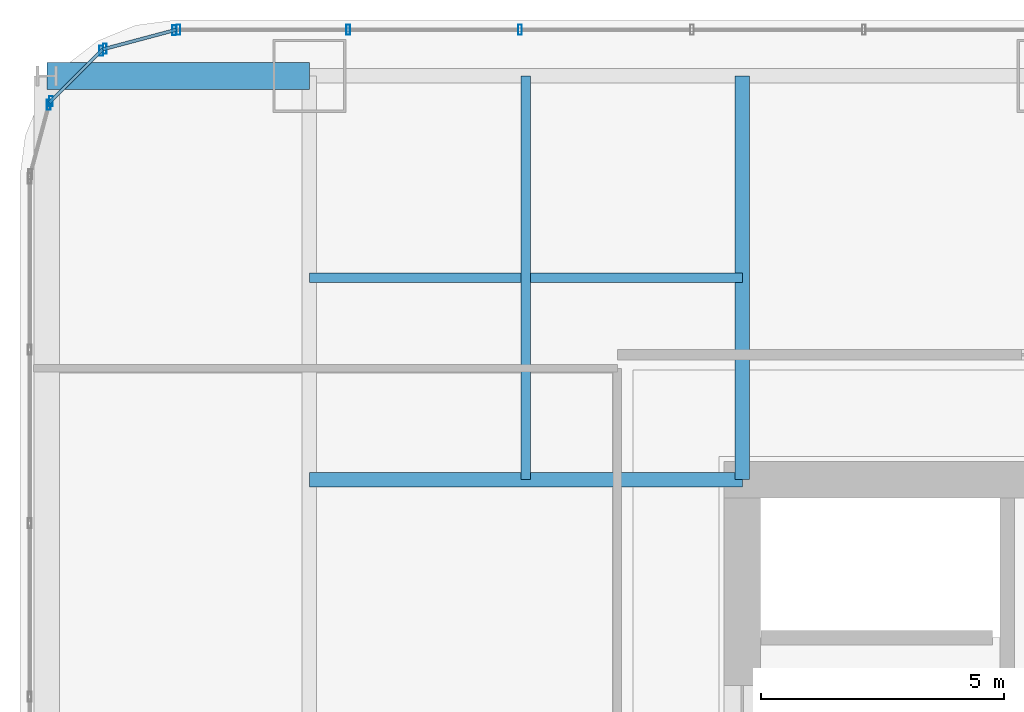
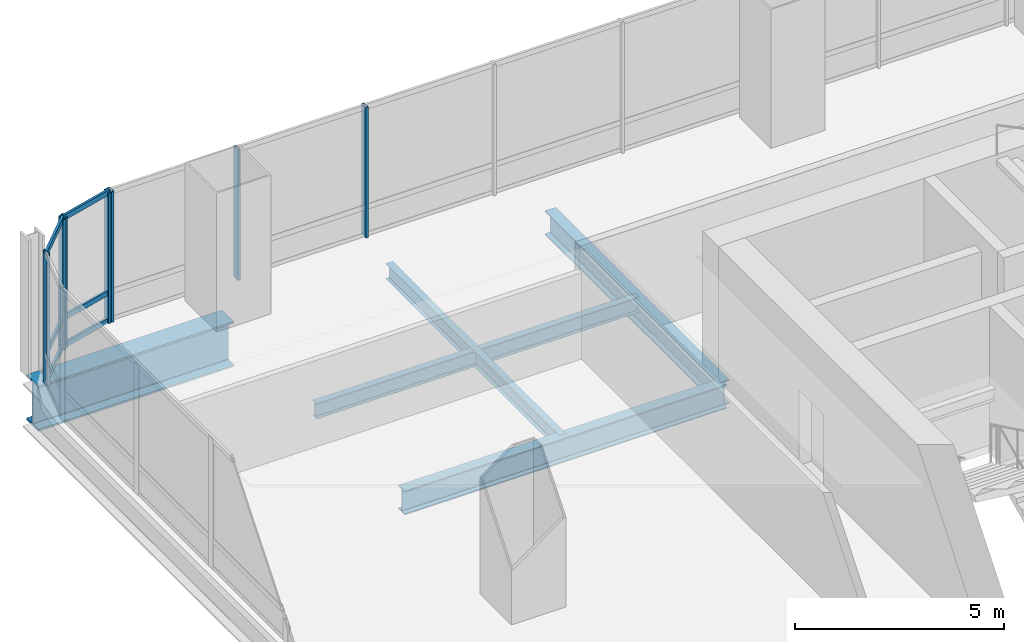
# One storey, part 19 of 35: 14 members, 5 beams, 4 elements without a shape of their own.
"""IFC4 building model written with IfcOpenShell, lengths in metres."""

from ifc_helpers import new_model, si_unit, direction, frame, origin, origin_2d, place, context, subcontext, project, spatial, hollow_rectangle, i_section, extrude, material, material_profile, profile_set, type_object, element, aggregate, save


model = new_model("IFC4")

# Units and contexts
model_context = context("Model", 3, precision=1e-05, world=origin(), true_north=direction((0.0, 1.0)))
body_context = subcontext(model_context, "Body", "Model", "MODEL_VIEW")
ifc_project = project(units=[si_unit("LENGTHUNIT", "METRE"), si_unit("AREAUNIT", "SQUARE_METRE"), si_unit("VOLUMEUNIT", "CUBIC_METRE"), si_unit("PLANEANGLEUNIT", "RADIAN"), si_unit("MASSUNIT", "GRAM", prefix="KILO")], contexts=[model_context])

# Site, building, storey
site_placement = place(None, origin())
site = spatial("IfcSite", under=ifc_project, at=site_placement, CompositionType="ELEMENT")
building_placement = place(site_placement, origin())
building = spatial("IfcBuilding", under=site, at=building_placement, Name="Punatoya Terracotta Tower", CompositionType="ELEMENT")
storey_placement = place(building_placement, frame((0.0, 0.0, 52.5)))
storey = spatial("IfcBuildingStorey", under=building, at=storey_placement, Name="L11", CompositionType="ELEMENT", Elevation=52.5)

# Beams
ifc_material_1 = material(Name="Steel S355", Category="steel")
ifc_material_profile_1 = material_profile(ifc_material_1, i_section(OverallWidth=0.300048828125, OverallDepth=0.699951171875, WebThickness=0.01708984375, FlangeThickness=0.031982421875, FilletRadius=0.01806640625, at=origin_2d()))
ifc_profile_set_1 = profile_set([ifc_material_profile_1], Name="Steel S355")
beam_type_1 = type_object("IfcBeamType", Name="BM-PRI-700", PredefinedType="BEAM", material=ifc_profile_set_1)
beam_1_placement = place(storey_placement, frame((-19.10009765625, 9.199951171875, -0.590087890625), z_axis=(1.0, 0.0, 0.0), x_axis=(0.0, 1.0, 0.0)))
element("IfcBeam", 1, at=beam_1_placement, inside=storey, type_object=beam_type_1, Name="BM-L11-PR-WN", PredefinedType="BEAM", context=body_context, shape_type="SweptSolid", body=[
    extrude(i_section(OverallWidth=0.300048828125, OverallDepth=0.699951171875, WebThickness=0.01708984375, FlangeThickness=0.031982421875, FilletRadius=0.01806640625, at=origin_2d()), origin(), (0.0, 0.0, 1.0), 8.900146484375),
])
beam_2_placement = place(storey_placement, frame((-10.199951171875, 9.199951171875, -0.590087890625), z_axis=(0.0, 1.0, 0.0), x_axis=(-1.0, 0.0, 0.0)))
element("IfcBeam", 2, at=beam_2_placement, inside=storey, type_object=beam_type_1, Name="BM-L11-PR-N1", PredefinedType="BEAM", context=body_context, shape_type="SweptSolid", body=[
    extrude(i_section(OverallWidth=0.300048828125, OverallDepth=0.699951171875, WebThickness=0.01708984375, FlangeThickness=0.031982421875, FilletRadius=0.01806640625, at=origin_2d()), origin(), (0.0, 0.0, 1.0), 8.300048828125),
])
ifc_material_profile_2 = material_profile(ifc_material_1, i_section(OverallWidth=0.18994140625, OverallDepth=0.449951171875, WebThickness=0.009521484375, FlangeThickness=0.0146484375, FilletRadius=0.01806640625, at=origin_2d()))
ifc_profile_set_2 = profile_set([ifc_material_profile_2], Name="Steel S355")
beam_type_2 = type_object("IfcBeamType", Name="BM-SEC-450", PredefinedType="JOIST", material=ifc_profile_set_2)
beam_3_placement = place(storey_placement, frame((-19.10009765625, 13.35009765625, -0.465087890625), z_axis=(1.0, 0.0, 0.0), x_axis=(0.0, 1.0, 0.0)))
element("IfcBeam", 3, at=beam_3_placement, inside=storey, type_object=beam_type_2, Name="BM-L11-SJN-1", PredefinedType="JOIST", context=body_context, shape_type="SweptSolid", body=[
    extrude(i_section(OverallWidth=0.18994140625, OverallDepth=0.449951171875, WebThickness=0.009521484375, FlangeThickness=0.0146484375, FilletRadius=0.01806640625, at=origin_2d()), origin(), (0.0, 0.0, 1.0), 8.900146484375),
])
beam_4_placement = place(storey_placement, frame((-14.64990234375, 9.199951171875, -0.465087890625), z_axis=(0.0, 1.0, 0.0), x_axis=(-1.0, 0.0, 0.0)))
element("IfcBeam", 4, at=beam_4_placement, inside=storey, type_object=beam_type_2, Name="BM-L11-SJW-2", PredefinedType="JOIST", context=body_context, shape_type="SweptSolid", body=[
    extrude(i_section(OverallWidth=0.18994140625, OverallDepth=0.449951171875, WebThickness=0.009521484375, FlangeThickness=0.0146484375, FilletRadius=0.01806640625, at=origin_2d()), origin(), (0.0, 0.0, 1.0), 8.300048828125),
])
ifc_material_2 = material(Name="Steel S460", Category="steel")
ifc_material_profile_3 = material_profile(ifc_material_2, i_section(OverallWidth=0.56005859375, OverallDepth=1.320068359375, WebThickness=0.035888671875, FlangeThickness=0.054931640625, FilletRadius=0.01806640625, at=origin_2d()))
ifc_profile_set_3 = profile_set([ifc_material_profile_3], Name="Steel S460")
beam_type_3 = type_object("IfcBeamType", Name="BM-TG-BLK", PredefinedType="BEAM", material=ifc_profile_set_3)
beam_5_placement = place(storey_placement, frame((-24.5, 17.5, -0.89990234375), z_axis=(1.0, 0.0, 0.0), x_axis=(0.0, 1.0, 0.0)))
element("IfcBeam", 5, at=beam_5_placement, inside=storey, type_object=beam_type_3, Name="BM-L11-CANT-W4", PredefinedType="BEAM", context=body_context, shape_type="SweptSolid", body=[
    extrude(i_section(OverallWidth=0.56005859375, OverallDepth=1.320068359375, WebThickness=0.035888671875, FlangeThickness=0.054931640625, FilletRadius=0.01806640625, at=origin_2d()), origin(), (0.0, 0.0, 1.0), 5.39990234375),
])

# Curtain wall, members
ifc_material_3 = material(Name="Aluminium 6063-T6 + Double Low-E Glass", Category="aluminium")
curtain_wall_type = type_object("IfcCurtainWallType", Name="CW-M1", PredefinedType="NOTDEFINED", material=ifc_material_3)
curtain_wall_1_placement = place(storey_placement, origin())
curtain_wall_1 = element("IfcCurtainWall", 6, at=curtain_wall_1_placement, inside=storey, type_object=curtain_wall_type, Name="L11 Curtain Wall CW-L11-N09-1", PredefinedType="NOTDEFINED")
ifc_material_4 = material(Name="Aluminium 6063-T6", Category="aluminium")
ifc_material_profile_4 = material_profile(ifc_material_4, hollow_rectangle(XDim=0.074951171875, YDim=0.2099609375, WallThickness=0.00439453125, at=origin_2d()))
ifc_profile_set_4 = profile_set([ifc_material_profile_4], Name="Aluminium 6063-T6")
member_type_1 = type_object("IfcMemberType", Name="CW-MUL-M1", PredefinedType="MULLION", material=ifc_profile_set_4)
member_1_placement = place(storey_placement, frame((-14.768798828125, 18.449951171875, 0.0), z_axis=(0.0, 0.0, 1.0), x_axis=(1.0, 0.0, 0.0)))
member_1 = element("IfcMember", 7, at=member_1_placement, type_object=member_type_1, Name="CW-L11-N09-1 Mullion 09", PredefinedType="MULLION", context=body_context, shape_type="SweptSolid", body=[
    extrude(hollow_rectangle(XDim=0.074951171875, YDim=0.2099609375, WallThickness=0.00439453125, at=origin_2d()), origin(), (0.0, 0.0, 1.0), 3.81005859375),
])
member_2_placement = place(storey_placement, frame((-18.302978515625, 18.449951171875, 0.0), z_axis=(0.0, 0.0, 1.0), x_axis=(1.0, 0.0, 0.0)))
member_2 = element("IfcMember", 8, at=member_2_placement, type_object=member_type_1, Name="CW-L11-N09-1 Mullion 10", PredefinedType="MULLION", context=body_context, shape_type="SweptSolid", body=[
    extrude(hollow_rectangle(XDim=0.074951171875, YDim=0.2099609375, WallThickness=0.00439453125, at=origin_2d()), origin(), (0.0, 0.0, 1.0), 3.81005859375),
])
member_3_placement = place(storey_placement, frame((-21.7919921875, 18.449951171875, 0.0), z_axis=(0.0, 0.0, 1.0), x_axis=(1.0, 0.0, 0.0)))
member_3 = element("IfcMember", 9, at=member_3_placement, type_object=member_type_1, Name="CW-L11-N09-1 Mullion 11", PredefinedType="MULLION", context=body_context, shape_type="SweptSolid", body=[
    extrude(hollow_rectangle(XDim=0.074951171875, YDim=0.2099609375, WallThickness=0.00439453125, at=origin_2d()), origin(), (0.0, 0.0, 1.0), 3.81005859375),
])
aggregate(curtain_wall_1, [member_1, member_2, member_3])

curtain_wall_2_placement = place(storey_placement, origin())
curtain_wall_2 = element("IfcCurtainWall", 10, at=curtain_wall_2_placement, inside=storey, type_object=curtain_wall_type, Name="L11 Curtain Wall CW-L11-CRN10", PredefinedType="NOTDEFINED")
member_4_placement = place(storey_placement, frame((-21.88037109375, 18.4384765625, 0.0), z_axis=(0.0, 0.0, 1.0), x_axis=(1.0, 0.0, 0.0)))
member_4 = element("IfcMember", 11, at=member_4_placement, type_object=member_type_1, Name="CW-L11-CRN10 Mullion 00", PredefinedType="MULLION", context=body_context, shape_type="SweptSolid", body=[
    extrude(hollow_rectangle(XDim=0.074951171875, YDim=0.2099609375, WallThickness=0.00439453125, at=origin_2d()), origin(), (0.0, 0.0, 1.0), 3.81005859375),
])
member_5_placement = place(storey_placement, frame((-23.3056640625, 18.05810546875, 0.0), z_axis=(0.0, 0.0, 1.0), x_axis=(1.0, 0.0, 0.0)))
member_5 = element("IfcMember", 12, at=member_5_placement, type_object=member_type_1, Name="CW-L11-CRN10 Mullion 01", PredefinedType="MULLION", context=body_context, shape_type="SweptSolid", body=[
    extrude(hollow_rectangle(XDim=0.074951171875, YDim=0.2099609375, WallThickness=0.00439453125, at=origin_2d()), origin(), (0.0, 0.0, 1.0), 3.81005859375),
])

curtain_wall_3_placement = place(storey_placement, origin())
curtain_wall_3 = element("IfcCurtainWall", 13, at=curtain_wall_3_placement, inside=storey, type_object=curtain_wall_type, Name="L11 Curtain Wall CW-L11-CRN11", PredefinedType="NOTDEFINED")
member_6_placement = place(storey_placement, frame((-23.380859375, 18.014892578125, 0.0), z_axis=(0.0, 0.0, 1.0), x_axis=(1.0, 0.0, 0.0)))
member_6 = element("IfcMember", 14, at=member_6_placement, type_object=member_type_1, Name="CW-L11-CRN11 Mullion 00", PredefinedType="MULLION", context=body_context, shape_type="SweptSolid", body=[
    extrude(hollow_rectangle(XDim=0.074951171875, YDim=0.2099609375, WallThickness=0.00439453125, at=origin_2d()), origin(), (0.0, 0.0, 1.0), 3.81005859375),
])
member_7_placement = place(storey_placement, frame((-24.414794921875, 16.98095703125, 0.0), z_axis=(0.0, 0.0, 1.0), x_axis=(1.0, 0.0, 0.0)))
member_7 = element("IfcMember", 15, at=member_7_placement, type_object=member_type_1, Name="CW-L11-CRN11 Mullion 01", PredefinedType="MULLION", context=body_context, shape_type="SweptSolid", body=[
    extrude(hollow_rectangle(XDim=0.074951171875, YDim=0.2099609375, WallThickness=0.00439453125, at=origin_2d()), origin(), (0.0, 0.0, 1.0), 3.81005859375),
])

# Curtain wall, member
curtain_wall_4_placement = place(storey_placement, origin())
curtain_wall_4 = element("IfcCurtainWall", 16, at=curtain_wall_4_placement, inside=storey, type_object=curtain_wall_type, Name="L11 Curtain Wall CW-L11-CRN12", PredefinedType="NOTDEFINED")
member_8_placement = place(storey_placement, frame((-24.458251953125, 16.905517578125, 0.0), z_axis=(0.0, 0.0, 1.0), x_axis=(1.0, 0.0, 0.0)))
member_8 = element("IfcMember", 17, at=member_8_placement, type_object=member_type_1, Name="CW-L11-CRN12 Mullion 00", PredefinedType="MULLION", context=body_context, shape_type="SweptSolid", body=[
    extrude(hollow_rectangle(XDim=0.074951171875, YDim=0.2099609375, WallThickness=0.00439453125, at=origin_2d()), origin(), (0.0, 0.0, 1.0), 3.81005859375),
])
aggregate(curtain_wall_4, [member_8])

# Member
ifc_material_profile_5 = material_profile(ifc_material_4, hollow_rectangle(XDim=0.068115234375, YDim=0.14990234375, WallThickness=0.00390625, at=origin_2d()))
ifc_profile_set_5 = profile_set([ifc_material_profile_5], Name="Aluminium 6063-T6")
member_type_2 = type_object("IfcMemberType", Name="CW-TRN-TYP", PredefinedType="USERDEFINED", material=ifc_profile_set_5)
member_9_placement = place(storey_placement, frame((-21.8369140625, 18.449951171875, 0.0400390625), z_axis=(-0.966224582397, -0.257701486942, 0.0), x_axis=(0.257701486942, -0.966224582397, 0.0)))
member_9 = element("IfcMember", 18, at=member_9_placement, type_object=member_type_2, Name="CW-L11-CRN10 Transom 1", ObjectType="TRANSOM", PredefinedType="USERDEFINED", context=body_context, shape_type="SweptSolid", body=[
    extrude(hollow_rectangle(XDim=0.068115234375, YDim=0.14990234375, WallThickness=0.00390625, at=origin_2d()), origin(), (0.0, 0.0, 1.0), 1.565185546875),
])

member_10_placement = place(storey_placement, frame((-21.8369140625, 18.449951171875, 0.85009765625), z_axis=(-0.966224582397, -0.257701486942, 0.0), x_axis=(0.257701486942, -0.966224582397, 0.0)))
member_10 = element("IfcMember", 19, at=member_10_placement, type_object=member_type_2, Name="CW-L11-CRN10 Transom 2", ObjectType="TRANSOM", PredefinedType="USERDEFINED", context=body_context, shape_type="SweptSolid", body=[
    extrude(hollow_rectangle(XDim=0.068115234375, YDim=0.14990234375, WallThickness=0.00390625, at=origin_2d()), origin(), (0.0, 0.0, 1.0), 1.565185546875),
])

member_11_placement = place(storey_placement, frame((-21.8369140625, 18.449951171875, 3.77001953125), z_axis=(-0.966224582397, -0.257701486942, 0.0), x_axis=(0.257701486942, -0.966224582397, 0.0)))
member_11 = element("IfcMember", 20, at=member_11_placement, type_object=member_type_2, Name="CW-L11-CRN10 Transom 3", ObjectType="TRANSOM", PredefinedType="USERDEFINED", context=body_context, shape_type="SweptSolid", body=[
    extrude(hollow_rectangle(XDim=0.068115234375, YDim=0.14990234375, WallThickness=0.00390625, at=origin_2d()), origin(), (0.0, 0.0, 1.0), 1.565185546875),
])

aggregate(curtain_wall_2, [member_4, member_5, member_9, member_10, member_11])

member_12_placement = place(storey_placement, frame((-23.34912109375, 18.046630859375, 0.0400390625), z_axis=(-0.707106781187, -0.707106781187, 0.0), x_axis=(0.707106781187, -0.707106781187, 0.0)))
member_12 = element("IfcMember", 21, at=member_12_placement, type_object=member_type_2, Name="CW-L11-CRN11 Transom 1", ObjectType="TRANSOM", PredefinedType="USERDEFINED", context=body_context, shape_type="SweptSolid", body=[
    extrude(hollow_rectangle(XDim=0.068115234375, YDim=0.14990234375, WallThickness=0.00390625, at=origin_2d()), origin(), (0.0, 0.0, 1.0), 1.552001953125),
])

member_13_placement = place(storey_placement, frame((-23.34912109375, 18.046630859375, 0.85009765625), z_axis=(-0.707106781187, -0.707106781187, 0.0), x_axis=(0.707106781187, -0.707106781187, 0.0)))
member_13 = element("IfcMember", 22, at=member_13_placement, type_object=member_type_2, Name="CW-L11-CRN11 Transom 2", ObjectType="TRANSOM", PredefinedType="USERDEFINED", context=body_context, shape_type="SweptSolid", body=[
    extrude(hollow_rectangle(XDim=0.068115234375, YDim=0.14990234375, WallThickness=0.00390625, at=origin_2d()), origin(), (0.0, 0.0, 1.0), 1.552001953125),
])

member_14_placement = place(storey_placement, frame((-23.34912109375, 18.046630859375, 3.77001953125), z_axis=(-0.707106781187, -0.707106781187, 0.0), x_axis=(0.707106781187, -0.707106781187, 0.0)))
member_14 = element("IfcMember", 23, at=member_14_placement, type_object=member_type_2, Name="CW-L11-CRN11 Transom 3", ObjectType="TRANSOM", PredefinedType="USERDEFINED", context=body_context, shape_type="SweptSolid", body=[
    extrude(hollow_rectangle(XDim=0.068115234375, YDim=0.14990234375, WallThickness=0.00390625, at=origin_2d()), origin(), (0.0, 0.0, 1.0), 1.552001953125),
])

aggregate(curtain_wall_3, [member_6, member_7, member_12, member_13, member_14])

save(model, "model.ifc")
